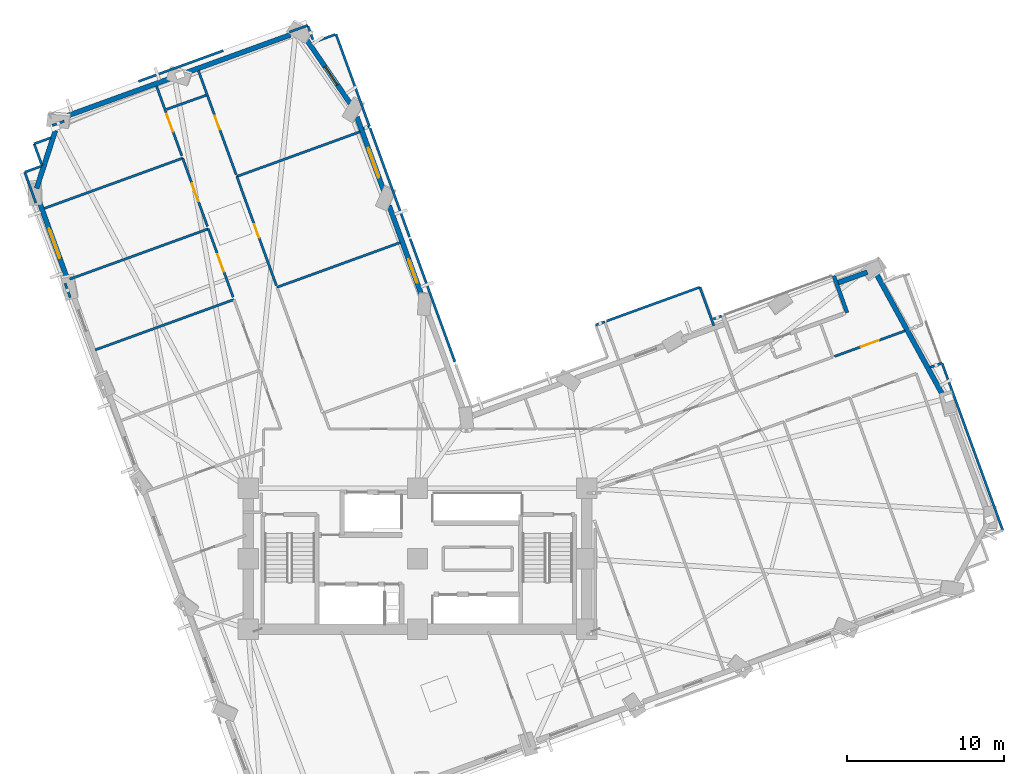
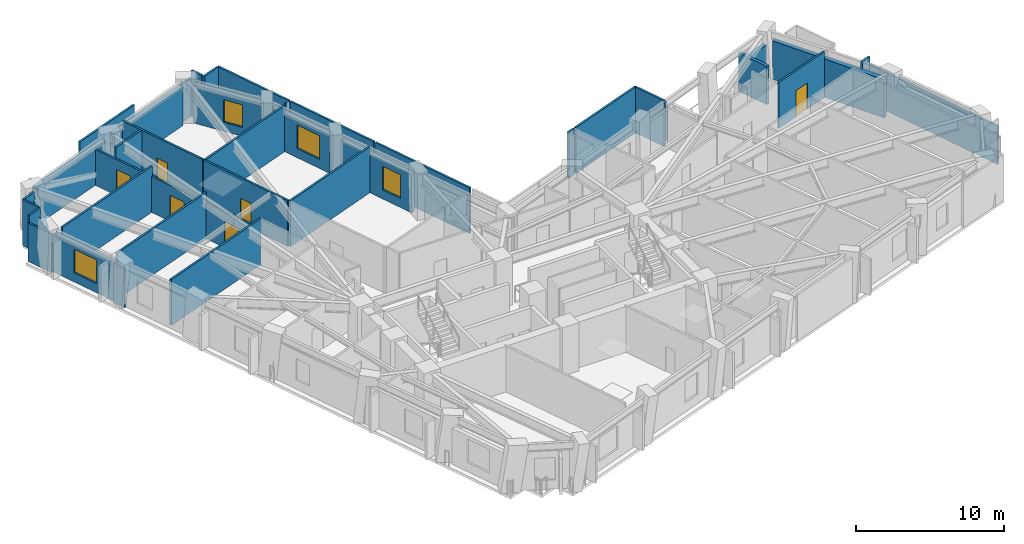
# One storey, part 12 of 17: 42 walls, 6 doors, 4 windows, 10 openings.
"""IFC4 building model written with IfcOpenShell, lengths in metres."""

from ifc_helpers import new_model, si_unit, direction, frame, frame_2d, origin, place, context, subcontext, project, spatial, rectangle, extrude, material, layer, layer_set, type_object, element, fill, save


model = new_model("IFC4")

# Units and contexts
model_context = context("Model", 3, precision=1e-05, world=origin(), true_north=direction((0.0, 1.0)))
body_context = subcontext(model_context, "Body", "Model", "MODEL_VIEW")
ifc_project = project(units=[si_unit("LENGTHUNIT", "METRE"), si_unit("AREAUNIT", "SQUARE_METRE"), si_unit("VOLUMEUNIT", "CUBIC_METRE"), si_unit("PLANEANGLEUNIT", "RADIAN"), si_unit("MASSUNIT", "GRAM", prefix="KILO")], contexts=[model_context])

# Site, building, storey
site_placement = place(None, origin())
site = spatial("IfcSite", under=ifc_project, at=site_placement, CompositionType="ELEMENT")
building_placement = place(site_placement, origin())
building = spatial("IfcBuilding", under=site, at=building_placement, Name="Gaonmaruhae Medical Tower", CompositionType="ELEMENT")
storey_placement = place(building_placement, frame((0.0, 0.0, 108.39990234375)))
storey = spatial("IfcBuildingStorey", under=building, at=storey_placement, Name="L25", CompositionType="ELEMENT", Elevation=108.39990234375)

# Walls
ifc_material_1 = material(Name="Precast concrete C45/55", Category="concrete")
ifc_layer_1 = layer(ifc_material_1, 0.239990234375)
ifc_layer_set_1 = layer_set([ifc_layer_1], Name="Precast concrete C45/55")
wall_type_1 = type_object("IfcWallType", Name="EW-240 Ribbon & Shelter Insulated Precast Wall", PredefinedType="SOLIDWALL", material=ifc_layer_set_1)
wall_1_placement = place(storey_placement, frame((52.222412109375, 28.00634765625, 0.0), z_axis=(0.0, 0.0, 1.0), x_axis=(-0.341194160902, 0.939992842827, 0.0)))
element("IfcWall", 1, at=wall_1_placement, inside=storey, type_object=wall_type_1, Name="L25 Recessed Terrace Enclosure Wall TERR", PredefinedType="SOLIDWALL", context=body_context, shape_type="SweptSolid", body=[
    extrude(rectangle(XDim=2.500244140625, YDim=0.239990234375, at=frame_2d((1.25, 0.0))), origin(), (0.0, 0.0, 1.0), 3.1650390625),
])
ifc_layer_2 = layer(ifc_material_1, 0.320068359375)
ifc_layer_set_2 = layer_set([ifc_layer_2], Name="Precast concrete C45/55")
wall_type_2 = type_object("IfcWallType", Name="EW-320 Lower Precast Masonry-Frame Facade Wall", PredefinedType="SOLIDWALL", material=ifc_layer_set_2)
wall_2_placement = place(storey_placement, frame((54.0966796875, 30.464111328125, 0.0), z_axis=(0.0, 0.0, 1.0), x_axis=(0.480836721767, -0.876810154481, 0.0)))
element("IfcWall", 2, at=wall_2_placement, inside=storey, type_object=wall_type_2, Name="L25 Precast Masonry-Frame Wall E02-E03", PredefinedType="SOLIDWALL", context=body_context, shape_type="SweptSolid", body=[
    extrude(rectangle(XDim=8.837646484375, YDim=0.320068359375, at=frame_2d((4.4189453125, 0.0))), origin(), (0.0, 0.0, 1.0), 3.1650390625),
])
wall_3_placement = place(storey_placement, frame((51.562255859375, 29.8837890625, 0.0), z_axis=(0.0, 0.0, 1.0), x_axis=(0.939992364917, 0.341195477547, 0.0)))
element("IfcWall", 3, at=wall_3_placement, inside=storey, type_object=wall_type_2, Name="L25 Precast Masonry-Frame Wall E03-EN01", PredefinedType="SOLIDWALL", context=body_context, shape_type="SweptSolid", body=[
    extrude(rectangle(XDim=2.076416015625, YDim=0.320068359375, at=frame_2d((1.0380859375, 0.0))), origin(), (0.0, 0.0, 1.0), 2.945068359375),
])

# Wall, opening, window
wall_4_placement = place(storey_placement, frame((22.986572265625, 34.8427734375, 0.0), z_axis=(0.0, 0.0, 1.0), x_axis=(0.341175974154, -0.939999443968, 0.0)))
wall_4 = element("IfcWall", 4, at=wall_4_placement, inside=storey, type_object=wall_type_2, Name="L25 Precast Masonry-Frame Wall NE01-NE02", PredefinedType="SOLIDWALL", context=body_context, shape_type="SweptSolid", body=[
    extrude(rectangle(XDim=6.22265625, YDim=0.320068359375, at=frame_2d((3.111328125, 0.0))), origin(), (0.0, 0.0, 1.0), 3.1650390625),
])
opening_1_placement = place(wall_4_placement, frame((3.646240234375, 0.0, 0.75)))
opening_1 = element("IfcOpeningElement", 5, at=opening_1_placement, cuts=wall_4, Name="Opening WN-01", PredefinedType="OPENING", context=body_context, shape_type="SweptSolid", body=[
    extrude(rectangle(XDim=1.60009765625, YDim=1.949951171875, at=frame_2d((0.800048828125, 0.97509765625))), frame((0.0, 0.169921875, 0.0), z_axis=(0.0, -1.0, 0.0), x_axis=(1.0, 0.0, 0.0)), (0.0, 0.0, 1.0), 0.340087890625),
])
ifc_material_2 = material(Name="Anodised aluminium and Low-E double glazing", Category="aluminium")
window_type_1 = type_object("IfcWindowType", Name="WN-01 Ward Punched Acoustic Window 1600x1950", PartitioningType="SINGLE_PANEL", PredefinedType="WINDOW", material=ifc_material_2)
window_1_placement = place(opening_1_placement, origin())
window_1 = element("IfcWindow", 6, at=window_1_placement, inside=storey, type_object=window_type_1, Name="L25 Modular Facade Window NE01", OverallHeight=1.949951171875, OverallWidth=1.60009765625, PartitioningType="SINGLE_PANEL", PredefinedType="WINDOW", context=body_context, shape_type="SweptSolid", body=[
    extrude(rectangle(XDim=1.60009765625, YDim=1.949951171875, at=frame_2d((0.800048828125, 0.97509765625))), frame((0.0, 0.030029296875, 0.0), z_axis=(0.0, -1.0, 0.0), x_axis=(1.0, 0.0, 0.0)), (0.0, 0.0, 1.0), 0.06005859375),
])
fill(opening_1, window_1)

wall_5_placement = place(storey_placement, frame((20.9345703125, 40.495849609375, 0.0), z_axis=(0.0, 0.0, 1.0), x_axis=(0.341207045833, -0.939988165816, 0.0)))
wall_5 = element("IfcWall", 7, at=wall_5_placement, inside=storey, type_object=wall_type_2, Name="L25 Precast Masonry-Frame Wall NE02-NE03", PredefinedType="SOLIDWALL", context=body_context, shape_type="SweptSolid", body=[
    extrude(rectangle(XDim=5.04736328125, YDim=0.320068359375, at=frame_2d((2.523681640625, 0.0))), origin(), (0.0, 0.0, 1.0), 3.1650390625),
])
opening_2_placement = place(wall_5_placement, frame((2.10302734375, 0.0, 0.75)))
opening_2 = element("IfcOpeningElement", 8, at=opening_2_placement, cuts=wall_5, Name="Opening WN-02", PredefinedType="OPENING", context=body_context, shape_type="SweptSolid", body=[
    extrude(rectangle(XDim=2.0, YDim=1.949951171875, at=frame_2d((1.0, 0.97509765625))), frame((0.0, 0.169921875, 0.0), z_axis=(0.0, -1.0, 0.0), x_axis=(1.0, 0.0, 0.0)), (0.0, 0.0, 1.0), 0.340087890625),
])
window_type_2 = type_object("IfcWindowType", Name="WN-02 Double-Bed Ward Punched Window 2000x1950", PartitioningType="SINGLE_PANEL", PredefinedType="WINDOW", material=ifc_material_2)
window_2_placement = place(opening_2_placement, origin())
window_2 = element("IfcWindow", 9, at=window_2_placement, inside=storey, type_object=window_type_2, Name="L25 Modular Facade Window NE02", OverallHeight=1.949951171875, OverallWidth=2.0, PartitioningType="SINGLE_PANEL", PredefinedType="WINDOW", context=body_context, shape_type="SweptSolid", body=[
    extrude(rectangle(XDim=2.0, YDim=1.949951171875, at=frame_2d((1.0, 0.97509765625))), frame((0.0, 0.030029296875, 0.0), z_axis=(0.0, -1.0, 0.0), x_axis=(1.0, 0.0, 0.0)), (0.0, 0.0, 1.0), 0.06005859375),
])
fill(opening_2, window_2)

wall_6_placement = place(storey_placement, frame((17.608154296875, 45.597412109375, 0.0), z_axis=(0.0, 0.0, 1.0), x_axis=(0.563970355913, -0.825795033681, 0.0)))
wall_6 = element("IfcWall", 10, at=wall_6_placement, inside=storey, type_object=wall_type_2, Name="L25 Precast Masonry-Frame Wall NE03-N01", PredefinedType="SOLIDWALL", context=body_context, shape_type="SweptSolid", body=[
    extrude(rectangle(XDim=5.12841796875, YDim=0.320068359375, at=frame_2d((2.564208984375, 0.0))), origin(), (0.0, 0.0, 1.0), 3.1650390625),
])
opening_3_placement = place(wall_6_placement, frame((2.29345703125, 0.0, 0.75)))
opening_3 = element("IfcOpeningElement", 11, at=opening_3_placement, cuts=wall_6, Name="Opening WN-03", PredefinedType="OPENING", context=body_context, shape_type="SweptSolid", body=[
    extrude(rectangle(XDim=1.39990234375, YDim=1.85009765625, at=frame_2d((0.699951171875, 0.925048828125))), frame((0.0, 0.169921875, 0.0), z_axis=(0.0, -1.0, 0.0), x_axis=(1.0, 0.0, 0.0)), (0.0, 0.0, 1.0), 0.340087890625),
])
window_type_3 = type_object("IfcWindowType", Name="WN-03 Isolation Ward Punched Window 1400x1850", PartitioningType="SINGLE_PANEL", PredefinedType="WINDOW", material=ifc_material_2)
window_3_placement = place(opening_3_placement, origin())
window_3 = element("IfcWindow", 12, at=window_3_placement, inside=storey, type_object=window_type_3, Name="L25 Modular Facade Window NE03", OverallHeight=1.85009765625, OverallWidth=1.39990234375, PartitioningType="SINGLE_PANEL", PredefinedType="WINDOW", context=body_context, shape_type="SweptSolid", body=[
    extrude(rectangle(XDim=1.39990234375, YDim=1.85009765625, at=frame_2d((0.699951171875, 0.925048828125))), frame((0.0, 0.030029296875, 0.0), z_axis=(0.0, -1.0, 0.0), x_axis=(1.0, 0.0, 0.0)), (0.0, 0.0, 1.0), 0.06005859375),
])
fill(opening_3, window_3)

# Walls
wall_7_placement = place(storey_placement, frame((9.892822265625, 43.269287109375, 0.0), z_axis=(0.0, 0.0, 1.0), x_axis=(0.939984522446, 0.341217082753, 0.0)))
element("IfcWall", 13, at=wall_7_placement, inside=storey, type_object=wall_type_2, Name="L25 Precast Masonry-Frame Wall N01-N02", PredefinedType="SOLIDWALL", context=body_context, shape_type="SweptSolid", body=[
    extrude(rectangle(XDim=7.23095703125, YDim=0.320068359375, at=frame_2d((3.615478515625, 0.0))), origin(), (0.0, 0.0, 1.0), 3.1650390625),
])
wall_8_placement = place(storey_placement, frame((2.162109375, 40.46337890625, 0.0), z_axis=(0.0, 0.0, 1.0), x_axis=(0.939993283668, 0.341192946378, 0.0)))
element("IfcWall", 14, at=wall_8_placement, inside=storey, type_object=wall_type_2, Name="L25 Precast Masonry-Frame Wall N02-N03", PredefinedType="SOLIDWALL", context=body_context, shape_type="SweptSolid", body=[
    extrude(rectangle(XDim=7.27001953125, YDim=0.320068359375, at=frame_2d((3.635009765625, 0.0))), origin(), (0.0, 0.0, 1.0), 3.1650390625),
])
wall_9_placement = place(storey_placement, frame((0.4912109375, 35.934326171875, 0.0), z_axis=(0.0, 0.0, 1.0), x_axis=(0.308610602602, 0.951188465007, 0.0)))
element("IfcWall", 15, at=wall_9_placement, inside=storey, type_object=wall_type_2, Name="L25 Precast Masonry-Frame Wall N03-W01", PredefinedType="SOLIDWALL", context=body_context, shape_type="SweptSolid", body=[
    extrude(rectangle(XDim=3.889892578125, YDim=0.320068359375, at=frame_2d((1.94482421875, 0.0))), origin(), (0.0, 0.0, 1.0), 3.1650390625),
])

# Wall, opening, window
wall_10_placement = place(storey_placement, frame((2.525146484375, 29.958740234375, 0.0), z_axis=(0.0, 0.0, 1.0), x_axis=(-0.341222011067, 0.939982733439, 0.0)))
wall_10 = element("IfcWall", 16, at=wall_10_placement, inside=storey, type_object=wall_type_2, Name="L25 Precast Masonry-Frame Wall W01-W02", PredefinedType="SOLIDWALL", context=body_context, shape_type="SweptSolid", body=[
    extrude(rectangle(XDim=5.45556640625, YDim=0.320068359375, at=frame_2d((2.727783203125, 0.0))), origin(), (0.0, 0.0, 1.0), 3.1650390625),
])
opening_4_placement = place(wall_10_placement, frame((1.628173828125, 0.0, 0.75)))
opening_4 = element("IfcOpeningElement", 17, at=opening_4_placement, cuts=wall_10, Name="Opening WN-02", PredefinedType="OPENING", context=body_context, shape_type="SweptSolid", body=[
    extrude(rectangle(XDim=2.0, YDim=1.949951171875, at=frame_2d((1.0, 0.97509765625))), frame((0.0, 0.169921875, 0.0), z_axis=(0.0, -1.0, 0.0), x_axis=(1.0, 0.0, 0.0)), (0.0, 0.0, 1.0), 0.340087890625),
])
window_4_placement = place(opening_4_placement, origin())
window_4 = element("IfcWindow", 18, at=window_4_placement, inside=storey, type_object=window_type_2, Name="L25 Modular Facade Window W01", OverallHeight=1.949951171875, OverallWidth=2.0, PartitioningType="SINGLE_PANEL", PredefinedType="WINDOW", context=body_context, shape_type="SweptSolid", body=[
    extrude(rectangle(XDim=2.0, YDim=1.949951171875, at=frame_2d((1.0, 0.97509765625))), frame((0.0, 0.030029296875, 0.0), z_axis=(0.0, -1.0, 0.0), x_axis=(1.0, 0.0, 0.0)), (0.0, 0.0, 1.0), 0.06005859375),
])
fill(opening_4, window_4)

# Walls
ifc_material_3 = material(Name="Gypsum board partition", Category="gypsum")
ifc_layer_3 = layer(ifc_material_3, 0.14990234375)
ifc_layer_set_3 = layer_set([ifc_layer_3], Name="Gypsum board partition")
wall_type_3 = type_object("IfcWallType", Name="PW-150 Rated Clinical Corridor Partition", PredefinedType="PARTITIONING", material=ifc_layer_set_3)
wall_11_placement = place(storey_placement, frame((4.239013671875, 25.632080078125, 0.0), z_axis=(0.0, 0.0, 1.0), x_axis=(0.940008258736, 0.34115168695, 0.0)))
element("IfcWall", 19, at=wall_11_placement, inside=storey, type_object=wall_type_3, Name="L25 Interior Partition L25-WOF15-46", PredefinedType="PARTITIONING", context=body_context, shape_type="SweptSolid", body=[
    extrude(rectangle(XDim=9.414794921875, YDim=0.14990234375, at=frame_2d((4.70751953125, 0.0))), origin(), (0.0, 0.0, 1.0), 3.780029296875),
])
wall_12_placement = place(storey_placement, frame((2.60205078125, 30.14404296875, 0.0), z_axis=(0.0, 0.0, 1.0), x_axis=(0.939993165995, 0.341193270571, 0.0)))
element("IfcWall", 20, at=wall_12_placement, inside=storey, type_object=wall_type_3, Name="L25 Interior Partition L25-WOF16-49", PredefinedType="PARTITIONING", context=body_context, shape_type="SweptSolid", body=[
    extrude(rectangle(XDim=9.413818359375, YDim=0.14990234375, at=frame_2d((4.70703125, 0.0))), origin(), (0.0, 0.0, 1.0), 3.780029296875),
])

# Wall, opening, door
wall_13_placement = place(storey_placement, frame((11.450927734375, 33.35595703125, 0.0), z_axis=(0.0, 0.0, 1.0), x_axis=(0.341405037491, -0.939916273067, 0.0)))
wall_13 = element("IfcWall", 21, at=wall_13_placement, inside=storey, type_object=wall_type_3, Name="L25 Interior Partition L25-WOF16-50", PredefinedType="PARTITIONING", context=body_context, shape_type="SweptSolid", body=[
    extrude(rectangle(XDim=4.6396484375, YDim=0.14990234375, at=frame_2d((2.31982421875, 0.0))), origin(), (0.0, 0.0, 1.0), 2.965087890625),
])
opening_5_placement = place(wall_13_placement, frame((1.719970703125, 0.0, 0.0)))
opening_5 = element("IfcOpeningElement", 22, at=opening_5_placement, cuts=wall_13, Name="Opening CD-02", PredefinedType="OPENING", context=body_context, shape_type="SweptSolid", body=[
    extrude(rectangle(XDim=1.199951171875, YDim=2.14990234375, at=frame_2d((0.60009765625, 1.074951171875))), frame((0.0, 0.0849609375, 0.0), z_axis=(0.0, -1.0, 0.0), x_axis=(1.0, 0.0, 0.0)), (0.0, 0.0, 1.0), 0.169921875),
])
ifc_material_4 = material(Name="Antimicrobial laminate timber fire door", Category="wood")
door_type_1 = type_object("IfcDoorType", Name="CD-02 Clinical Treatment & Procedure Door 1200x2150", OperationType="NOTDEFINED", PredefinedType="DOOR", material=ifc_material_4)
door_1_placement = place(opening_5_placement, origin())
door_1 = element("IfcDoor", 23, at=door_1_placement, inside=storey, type_object=door_type_1, Name="L25 Ward Physician Reporting Office Door", OperationType="SINGLE_SWING_RIGHT", OverallHeight=2.14990234375, OverallWidth=1.199951171875, PredefinedType="DOOR", context=body_context, shape_type="SweptSolid", body=[
    extrude(rectangle(XDim=1.199951171875, YDim=2.14990234375, at=frame_2d((0.60009765625, 1.074951171875))), frame((0.0, 0.02490234375, 0.0), z_axis=(0.0, -1.0, 0.0), x_axis=(1.0, 0.0, 0.0)), (0.0, 0.0, 1.0), 0.050048828125),
])
fill(opening_5, door_1)

# Walls
wall_14_placement = place(storey_placement, frame((2.636962890625, 28.97705078125, 0.0), z_axis=(0.0, 0.0, 1.0), x_axis=(-0.342253038206, 0.939607821295, 0.0)))
element("IfcWall", 24, at=wall_14_placement, inside=storey, type_object=wall_type_3, Name="L25 Interior Partition L25-WOF16-51", PredefinedType="PARTITIONING", context=body_context, shape_type="SweptSolid", body=[
    extrude(rectangle(XDim=0.9609375, YDim=0.14990234375, at=frame_2d((0.48046875, 0.0))), origin(), (0.0, 0.0, 1.0), 3.1650390625),
])
wall_15_placement = place(storey_placement, frame((0.964111328125, 34.655029296875, 0.0), z_axis=(0.0, 0.0, 1.0), x_axis=(0.939971972714, 0.341251652761, 0.0)))
element("IfcWall", 25, at=wall_15_placement, inside=storey, type_object=wall_type_3, Name="L25 Interior Partition L25-WOF17-52", PredefinedType="PARTITIONING", context=body_context, shape_type="SweptSolid", body=[
    extrude(rectangle(XDim=9.4150390625, YDim=0.14990234375, at=frame_2d((4.70751953125, 0.0))), origin(), (0.0, 0.0, 1.0), 3.780029296875),
])

# Wall, opening, door
wall_16_placement = place(storey_placement, frame((9.81396484375, 37.867919921875, 0.0), z_axis=(0.0, 0.0, 1.0), x_axis=(0.341219066922, -0.939983802184, 0.0)))
wall_16 = element("IfcWall", 26, at=wall_16_placement, inside=storey, type_object=wall_type_3, Name="L25 Interior Partition L25-WOF17-53", PredefinedType="PARTITIONING", context=body_context, shape_type="SweptSolid", body=[
    extrude(rectangle(XDim=4.63916015625, YDim=0.14990234375, at=frame_2d((2.319580078125, 0.0))), origin(), (0.0, 0.0, 1.0), 2.965087890625),
])
opening_6_placement = place(wall_16_placement, frame((1.7197265625, 0.0, 0.0)))
opening_6 = element("IfcOpeningElement", 27, at=opening_6_placement, cuts=wall_16, Name="Opening CD-02", PredefinedType="OPENING", context=body_context, shape_type="SweptSolid", body=[
    extrude(rectangle(XDim=1.199951171875, YDim=2.14990234375, at=frame_2d((0.60009765625, 1.074951171875))), frame((0.0, 0.0849609375, 0.0), z_axis=(0.0, -1.0, 0.0), x_axis=(1.0, 0.0, 0.0)), (0.0, 0.0, 1.0), 0.169921875),
])
door_2_placement = place(opening_6_placement, origin())
door_2 = element("IfcDoor", 28, at=door_2_placement, inside=storey, type_object=door_type_1, Name="L25 Ward Physician Reporting Office Door", OperationType="SINGLE_SWING_RIGHT", OverallHeight=2.14990234375, OverallWidth=1.199951171875, PredefinedType="DOOR", context=body_context, shape_type="SweptSolid", body=[
    extrude(rectangle(XDim=1.199951171875, YDim=2.14990234375, at=frame_2d((0.60009765625, 1.074951171875))), frame((0.0, 0.02490234375, 0.0), z_axis=(0.0, -1.0, 0.0), x_axis=(1.0, 0.0, 0.0)), (0.0, 0.0, 1.0), 0.050048828125),
])
fill(opening_6, door_2)

# Walls
wall_17_placement = place(storey_placement, frame((0.3310546875, 38.7880859375, 0.0), z_axis=(0.0, 0.0, 1.0), x_axis=(0.939824729606, 0.341656958983, 0.0)))
element("IfcWall", 29, at=wall_17_placement, inside=storey, type_object=wall_type_3, Name="L25 Interior Partition L25-WOF18-54", PredefinedType="PARTITIONING", context=body_context, shape_type="SweptSolid", body=[
    extrude(rectangle(XDim=1.138427734375, YDim=0.14990234375, at=frame_2d((0.5693359375, 0.0))), origin(), (0.0, 0.0, 1.0), 3.780029296875),
])
wall_18_placement = place(storey_placement, frame((1.501953125, 39.9580078125, 0.0), z_axis=(0.0, 0.0, 1.0), x_axis=(0.940170604889, 0.340704026542, 0.0)))
element("IfcWall", 30, at=wall_18_placement, inside=storey, type_object=wall_type_3, Name="L25 Interior Partition L25-WOF18-55", PredefinedType="PARTITIONING", context=body_context, shape_type="SweptSolid", body=[
    extrude(rectangle(XDim=0.79248046875, YDim=0.14990234375, at=frame_2d((0.396240234375, 0.0))), origin(), (0.0, 0.0, 1.0), 3.1650390625),
])

# Wall, opening, door
wall_19_placement = place(storey_placement, frame((8.14501953125, 42.465087890625, 0.0), z_axis=(0.0, 0.0, 1.0), x_axis=(0.341233257896, -0.939978650665, 0.0)))
wall_19 = element("IfcWall", 31, at=wall_19_placement, inside=storey, type_object=wall_type_3, Name="L25 Interior Partition L25-WOF18-56", PredefinedType="PARTITIONING", context=body_context, shape_type="SweptSolid", body=[
    extrude(rectangle(XDim=4.72998046875, YDim=0.14990234375, at=frame_2d((2.364990234375, 0.0))), origin(), (0.0, 0.0, 1.0), 2.965087890625),
])
opening_7_placement = place(wall_19_placement, frame((1.889892578125, 0.0, 0.0)))
opening_7 = element("IfcOpeningElement", 32, at=opening_7_placement, cuts=wall_19, Name="Opening CD-02", PredefinedType="OPENING", context=body_context, shape_type="SweptSolid", body=[
    extrude(rectangle(XDim=1.199951171875, YDim=2.14990234375, at=frame_2d((0.60009765625, 1.074951171875))), frame((0.0, 0.0849609375, 0.0), z_axis=(0.0, -1.0, 0.0), x_axis=(1.0, 0.0, 0.0)), (0.0, 0.0, 1.0), 0.169921875),
])
door_3_placement = place(opening_7_placement, origin())
door_3 = element("IfcDoor", 33, at=door_3_placement, inside=storey, type_object=door_type_1, Name="L25 Ward Physician Reporting Office Door", OperationType="SINGLE_SWING_RIGHT", OverallHeight=2.14990234375, OverallWidth=1.199951171875, PredefinedType="DOOR", context=body_context, shape_type="SweptSolid", body=[
    extrude(rectangle(XDim=1.199951171875, YDim=2.14990234375, at=frame_2d((0.60009765625, 1.074951171875))), frame((0.0, 0.02490234375, 0.0), z_axis=(0.0, -1.0, 0.0), x_axis=(1.0, 0.0, 0.0)), (0.0, 0.0, 1.0), 0.050048828125),
])
fill(opening_7, door_3)

# Walls
wall_20_placement = place(storey_placement, frame((0.447021484375, 35.008056640625, 0.0), z_axis=(0.0, 0.0, 1.0), x_axis=(-0.341246548403, 0.939973825807, 0.0)))
element("IfcWall", 34, at=wall_20_placement, inside=storey, type_object=wall_type_3, Name="L25 Interior Partition L25-WOF18-57", PredefinedType="PARTITIONING", context=body_context, shape_type="SweptSolid", body=[
    extrude(rectangle(XDim=2.0927734375, YDim=0.14990234375, at=frame_2d((1.04638671875, 0.0))), origin(), (0.0, 0.0, 1.0), 3.1650390625),
])
wall_21_placement = place(storey_placement, frame((-0.26708984375, 36.97509765625, 0.0), z_axis=(0.0, 0.0, 1.0), x_axis=(0.939873962071, 0.341521500671, 0.0)))
element("IfcWall", 35, at=wall_21_placement, inside=storey, type_object=wall_type_3, Name="L25 Interior Partition L25-WOF18-58", PredefinedType="PARTITIONING", context=body_context, shape_type="SweptSolid", body=[
    extrude(rectangle(XDim=1.150146484375, YDim=0.14990234375, at=frame_2d((0.5751953125, 0.0))), origin(), (0.0, 0.0, 1.0), 3.780029296875),
])
wall_22_placement = place(storey_placement, frame((0.830078125, 37.4150390625, 0.0), z_axis=(0.0, 0.0, 1.0), x_axis=(-0.341582042638, 0.939851960761, 0.0)))
element("IfcWall", 36, at=wall_22_placement, inside=storey, type_object=wall_type_3, Name="L25 Interior Partition L25-WOF18-59", PredefinedType="PARTITIONING", context=body_context, shape_type="SweptSolid", body=[
    extrude(rectangle(XDim=1.4609375, YDim=0.14990234375, at=frame_2d((0.73046875, 0.0))), origin(), (0.0, 0.0, 1.0), 3.780029296875),
])
wall_23_placement = place(storey_placement, frame((36.1669921875, 27.220947265625, 0.0), z_axis=(0.0, 0.0, 1.0), x_axis=(0.939622411687, 0.342212979672, 0.0)))
element("IfcWall", 37, at=wall_23_placement, inside=storey, type_object=wall_type_3, Name="L25 Interior Partition L25-IE03-75", PredefinedType="PARTITIONING", context=body_context, shape_type="SweptSolid", body=[
    extrude(rectangle(XDim=0.625732421875, YDim=0.14990234375, at=frame_2d((0.31298828125, 0.0))), origin(), (0.0, 0.0, 1.0), 3.780029296875),
])
wall_24_placement = place(storey_placement, frame((36.867919921875, 27.47607421875, 0.0), z_axis=(0.0, 0.0, 1.0), x_axis=(0.940021741488, 0.341114534329, 0.0)))
element("IfcWall", 38, at=wall_24_placement, inside=storey, type_object=wall_type_3, Name="L25 Interior Partition L25-IE04-80", PredefinedType="PARTITIONING", context=body_context, shape_type="SweptSolid", body=[
    extrude(rectangle(XDim=6.33203125, YDim=0.14990234375, at=frame_2d((3.166015625, 0.0))), origin(), (0.0, 0.0, 1.0), 3.780029296875),
])
wall_25_placement = place(storey_placement, frame((42.820068359375, 29.635986328125, 0.0), z_axis=(0.0, 0.0, 1.0), x_axis=(0.341075765781, -0.940035808891, 0.0)))
element("IfcWall", 39, at=wall_25_placement, inside=storey, type_object=wall_type_3, Name="L25 Interior Partition L25-IE04-81", PredefinedType="PARTITIONING", context=body_context, shape_type="SweptSolid", body=[
    extrude(rectangle(XDim=2.61474609375, YDim=0.14990234375, at=frame_2d((1.307373046875, 0.0))), origin(), (0.0, 0.0, 1.0), 3.780029296875),
])
wall_26_placement = place(storey_placement, frame((43.68603515625, 27.610107421875, 0.0), z_axis=(0.0, 0.0, 1.0), x_axis=(0.939870699391, 0.341530479497, 0.0)))
element("IfcWall", 40, at=wall_26_placement, inside=storey, type_object=wall_type_3, Name="L25 Interior Partition L25-IE05-88", PredefinedType="PARTITIONING", context=body_context, shape_type="SweptSolid", body=[
    extrude(rectangle(XDim=0.55322265625, YDim=0.14990234375, at=frame_2d((0.276611328125, 0.0))), origin(), (0.0, 0.0, 1.0), 3.14501953125),
])

# Wall, opening, door
wall_27_placement = place(storey_placement, frame((55.925048828125, 26.85009765625, 0.0), z_axis=(0.0, 0.0, 1.0), x_axis=(-0.940038384463, -0.341068667187, 0.0)))
wall_27 = element("IfcWall", 41, at=wall_27_placement, inside=storey, type_object=wall_type_3, Name="L25 Interior Partition L25-IE06-94", PredefinedType="PARTITIONING", context=body_context, shape_type="SweptSolid", body=[
    extrude(rectangle(XDim=4.796630859375, YDim=0.14990234375, at=frame_2d((2.3984375, 0.0))), origin(), (0.0, 0.0, 1.0), 3.780029296875),
])
opening_8_placement = place(wall_27_placement, frame((1.79833984375, 0.0, 0.0)))
opening_8 = element("IfcOpeningElement", 42, at=opening_8_placement, cuts=wall_27, Name="Opening CD-02", PredefinedType="OPENING", context=body_context, shape_type="SweptSolid", body=[
    extrude(rectangle(XDim=1.199951171875, YDim=2.14990234375, at=frame_2d((0.60009765625, 1.074951171875))), frame((0.0, 0.0849609375, 0.0), z_axis=(0.0, -1.0, 0.0), x_axis=(1.0, 0.0, 0.0)), (0.0, 0.0, 1.0), 0.169921875),
])
door_4_placement = place(opening_8_placement, origin())
door_4 = element("IfcDoor", 43, at=door_4_placement, inside=storey, type_object=door_type_1, Name="L25 Multidisciplinary Clinical Consultation Room Door", OperationType="SINGLE_SWING_LEFT", OverallHeight=2.14990234375, OverallWidth=1.199951171875, PredefinedType="DOOR", context=body_context, shape_type="SweptSolid", body=[
    extrude(rectangle(XDim=1.199951171875, YDim=2.14990234375, at=frame_2d((0.60009765625, 1.074951171875))), frame((0.0, 0.02490234375, 0.0), z_axis=(0.0, -1.0, 0.0), x_axis=(1.0, 0.0, 0.0)), (0.0, 0.0, 1.0), 0.050048828125),
])
fill(opening_8, door_4)

# Walls
wall_28_placement = place(storey_placement, frame((15.8359375, 29.62890625, 0.0), z_axis=(0.0, 0.0, 1.0), x_axis=(0.939996069291, 0.341185271836, 0.0)))
element("IfcWall", 44, at=wall_28_placement, inside=storey, type_object=wall_type_3, Name="L25 Interior Partition L25-IN01-96", PredefinedType="PARTITIONING", context=body_context, shape_type="SweptSolid", body=[
    extrude(rectangle(XDim=8.364990234375, YDim=0.14990234375, at=frame_2d((4.1826171875, 0.0))), origin(), (0.0, 0.0, 1.0), 3.780029296875),
])
wall_29_placement = place(storey_placement, frame((24.343017578125, 32.717041015625, 0.0), z_axis=(0.0, 0.0, 1.0), x_axis=(0.341214204731, -0.939985567171, 0.0)))
element("IfcWall", 45, at=wall_29_placement, inside=storey, type_object=wall_type_3, Name="L25 Interior Partition L25-IN01-97", PredefinedType="PARTITIONING", context=body_context, shape_type="SweptSolid", body=[
    extrude(rectangle(XDim=8.340576171875, YDim=0.14990234375, at=frame_2d((4.17041015625, 0.0))), origin(), (0.0, 0.0, 1.0), 3.780029296875),
])

# Wall, opening, door
wall_30_placement = place(storey_placement, frame((15.794921875, 29.741943359375, 0.0), z_axis=(0.0, 0.0, 1.0), x_axis=(-0.341080711776, 0.940034014307, 0.0)))
wall_30 = element("IfcWall", 46, at=wall_30_placement, inside=storey, type_object=wall_type_3, Name="L25 Interior Partition L25-IN02-98", PredefinedType="PARTITIONING", context=body_context, shape_type="SweptSolid", body=[
    extrude(rectangle(XDim=7.39990234375, YDim=0.14990234375, at=frame_2d((3.699951171875, 0.0))), origin(), (0.0, 0.0, 1.0), 3.780029296875),
])
opening_9_placement = place(wall_30_placement, frame((3.239990234375, 0.0, 0.0)))
opening_9 = element("IfcOpeningElement", 47, at=opening_9_placement, cuts=wall_30, Name="Opening UD-01", PredefinedType="OPENING", context=body_context, shape_type="SweptSolid", body=[
    extrude(rectangle(XDim=0.919921875, YDim=2.10009765625, at=frame_2d((0.4599609375, 1.050048828125))), frame((0.0, 0.0849609375, 0.0), z_axis=(0.0, -1.0, 0.0), x_axis=(1.0, 0.0, 0.0)), (0.0, 0.0, 1.0), 0.169921875),
])
ifc_material_5 = material(Name="Powder-coated steel utility door", Category="steel")
door_type_2 = type_object("IfcDoorType", Name="UD-01 Toilet, Utility & Housekeeping Door 920x2100", OperationType="NOTDEFINED", PredefinedType="DOOR", material=ifc_material_5)
door_5_placement = place(opening_9_placement, origin())
door_5 = element("IfcDoor", 48, at=door_5_placement, inside=storey, type_object=door_type_2, Name="L25 Ward Nutrition Pantry Door", OperationType="SINGLE_SWING_RIGHT", OverallHeight=2.10009765625, OverallWidth=0.919921875, PredefinedType="DOOR", context=body_context, shape_type="SweptSolid", body=[
    extrude(rectangle(XDim=0.919921875, YDim=2.10009765625, at=frame_2d((0.4599609375, 1.050048828125))), frame((0.0, 0.02490234375, 0.0), z_axis=(0.0, -1.0, 0.0), x_axis=(1.0, 0.0, 0.0)), (0.0, 0.0, 1.0), 0.050048828125),
])
fill(opening_9, door_5)

# Walls
wall_31_placement = place(storey_placement, frame((13.27099609375, 36.697998046875, 0.0), z_axis=(0.0, 0.0, 1.0), x_axis=(0.940033506521, 0.341082111255, 0.0)))
element("IfcWall", 49, at=wall_31_placement, inside=storey, type_object=wall_type_3, Name="L25 Interior Partition L25-IN02-99", PredefinedType="PARTITIONING", context=body_context, shape_type="SweptSolid", body=[
    extrude(rectangle(XDim=8.36474609375, YDim=0.14990234375, at=frame_2d((4.182373046875, 0.0))), origin(), (0.0, 0.0, 1.0), 3.780029296875),
])
wall_32_placement = place(storey_placement, frame((21.778076171875, 39.784912109375, 0.0), z_axis=(0.0, 0.0, 1.0), x_axis=(0.341133611606, -0.940014818517, 0.0)))
element("IfcWall", 50, at=wall_32_placement, inside=storey, type_object=wall_type_3, Name="L25 Interior Partition L25-IN02-100", PredefinedType="PARTITIONING", context=body_context, shape_type="SweptSolid", body=[
    extrude(rectangle(XDim=7.398681640625, YDim=0.14990234375, at=frame_2d((3.69921875, 0.0))), origin(), (0.0, 0.0, 1.0), 3.780029296875),
])
wall_33_placement = place(storey_placement, frame((19.60107421875, 45.782958984375, 0.0), z_axis=(0.0, 0.0, 1.0), x_axis=(0.341176277605, -0.939999333829, 0.0)))
element("IfcWall", 51, at=wall_33_placement, inside=storey, type_object=wall_type_3, Name="L25 Interior Partition L25-IN03-101", PredefinedType="PARTITIONING", context=body_context, shape_type="SweptSolid", body=[
    extrude(rectangle(XDim=6.2607421875, YDim=0.14990234375, at=frame_2d((3.13037109375, 0.0))), origin(), (0.0, 0.0, 1.0), 3.780029296875),
])
wall_34_placement = place(storey_placement, frame((21.68994140625, 39.881103515625, 0.0), z_axis=(0.0, 0.0, 1.0), x_axis=(-0.939558904737, -0.34238730194, 0.0)))
element("IfcWall", 52, at=wall_34_placement, inside=storey, type_object=wall_type_3, Name="L25 Interior Partition L25-IN03-102", PredefinedType="PARTITIONING", context=body_context, shape_type="SweptSolid", body=[
    extrude(rectangle(XDim=0.364990234375, YDim=0.14990234375, at=frame_2d((0.1826171875, 0.0))), origin(), (0.0, 0.0, 1.0), 3.780029296875),
])

# Wall, opening, door
wall_35_placement = place(storey_placement, frame((13.22998046875, 36.81005859375, 0.0), z_axis=(0.0, 0.0, 1.0), x_axis=(-0.341188903173, 0.939994751236, 0.0)))
wall_35 = element("IfcWall", 53, at=wall_35_placement, inside=storey, type_object=wall_type_3, Name="L25 Interior Partition L25-IN03-103", PredefinedType="PARTITIONING", context=body_context, shape_type="SweptSolid", body=[
    extrude(rectangle(XDim=7.075439453125, YDim=0.14990234375, at=frame_2d((3.53759765625, 0.0))), origin(), (0.0, 0.0, 1.0), 3.780029296875),
])
opening_10_placement = place(wall_35_placement, frame((3.077880859375, 0.0, 0.0)))
opening_10 = element("IfcOpeningElement", 54, at=opening_10_placement, cuts=wall_35, Name="Opening UD-01", PredefinedType="OPENING", context=body_context, shape_type="SweptSolid", body=[
    extrude(rectangle(XDim=0.919921875, YDim=2.10009765625, at=frame_2d((0.4599609375, 1.050048828125))), frame((0.0, 0.0849609375, 0.0), z_axis=(0.0, -1.0, 0.0), x_axis=(1.0, 0.0, 0.0)), (0.0, 0.0, 1.0), 0.169921875),
])
door_6_placement = place(opening_10_placement, origin())
door_6 = element("IfcDoor", 55, at=door_6_placement, inside=storey, type_object=door_type_2, Name="L25 Public Visitor Toilet Door", OperationType="SINGLE_SWING_RIGHT", OverallHeight=2.10009765625, OverallWidth=0.919921875, PredefinedType="DOOR", context=body_context, shape_type="SweptSolid", body=[
    extrude(rectangle(XDim=0.919921875, YDim=2.10009765625, at=frame_2d((0.4599609375, 1.050048828125))), frame((0.0, 0.02490234375, 0.0), z_axis=(0.0, -1.0, 0.0), x_axis=(1.0, 0.0, 0.0)), (0.0, 0.0, 1.0), 0.050048828125),
])
fill(opening_10, door_6)

# Walls
wall_36_placement = place(storey_placement, frame((16.625, 45.9150390625, 0.0), z_axis=(0.0, 0.0, 1.0), x_axis=(0.940049351348, 0.341038439226, 0.0)))
element("IfcWall", 56, at=wall_36_placement, inside=storey, type_object=wall_type_3, Name="L25 Interior Partition L25-IN03-104", PredefinedType="PARTITIONING", context=body_context, shape_type="SweptSolid", body=[
    extrude(rectangle(XDim=1.251953125, YDim=0.14990234375, at=frame_2d((0.6259765625, 0.0))), origin(), (0.0, 0.0, 1.0), 3.1650390625),
])
wall_37_placement = place(storey_placement, frame((17.819091796875, 46.294921875, 0.0), z_axis=(0.0, 0.0, 1.0), x_axis=(0.341358206186, -0.939933282244, 0.0)))
element("IfcWall", 57, at=wall_37_placement, inside=storey, type_object=wall_type_3, Name="L25 Interior Partition L25-IN03-105", PredefinedType="PARTITIONING", context=body_context, shape_type="SweptSolid", body=[
    extrude(rectangle(XDim=0.9169921875, YDim=0.14990234375, at=frame_2d((0.45849609375, 0.0))), origin(), (0.0, 0.0, 1.0), 3.780029296875),
])
wall_38_placement = place(storey_placement, frame((18.19091796875, 45.27099609375, 0.0), z_axis=(0.0, 0.0, 1.0), x_axis=(0.939911337045, 0.34141862646, 0.0)))
element("IfcWall", 58, at=wall_38_placement, inside=storey, type_object=wall_type_3, Name="L25 Interior Partition L25-IN03-106", PredefinedType="PARTITIONING", context=body_context, shape_type="SweptSolid", body=[
    extrude(rectangle(XDim=1.4501953125, YDim=0.14990234375, at=frame_2d((0.72509765625, 0.0))), origin(), (0.0, 0.0, 1.0), 3.780029296875),
])
wall_39_placement = place(storey_placement, frame((11.31201171875, 41.882080078125, 0.0), z_axis=(0.0, 0.0, 1.0), x_axis=(-0.942338715134, -0.334660642979, 0.0)))
element("IfcWall", 59, at=wall_39_placement, inside=storey, type_object=wall_type_3, Name="L25 Interior Partition L25-RM01-107", PredefinedType="PARTITIONING", context=body_context, shape_type="SweptSolid", body=[
    extrude(rectangle(XDim=2.67724609375, YDim=0.14990234375, at=frame_2d((1.338623046875, 0.0))), origin(), (0.0, 0.0, 1.0), 3.780029296875),
])
wall_40_placement = place(storey_placement, frame((7.0009765625, 42.77294921875, 0.0), z_axis=(0.0, 0.0, 1.0), x_axis=(0.939972102174, 0.341251296165, 0.0)))
element("IfcWall", 60, at=wall_40_placement, inside=storey, type_object=wall_type_3, Name="L25 Interior Partition L25-RM01-108", PredefinedType="PARTITIONING", context=body_context, shape_type="SweptSolid", body=[
    extrude(rectangle(XDim=5.740478515625, YDim=0.14990234375, at=frame_2d((2.8701171875, 0.0))), origin(), (0.0, 0.0, 1.0), 3.780029296875),
])
wall_41_placement = place(storey_placement, frame((57.514892578125, 24.512939453125, 0.0), z_axis=(0.0, 0.0, 1.0), x_axis=(0.940028452982, 0.341096038653, 0.0)))
element("IfcWall", 61, at=wall_41_placement, inside=storey, type_object=wall_type_3, Name="L25 Interior Partition L25-RM04-113", PredefinedType="PARTITIONING", context=body_context, shape_type="SweptSolid", body=[
    extrude(rectangle(XDim=0.818115234375, YDim=0.14990234375, at=frame_2d((0.4091796875, 0.0))), origin(), (0.0, 0.0, 1.0), 3.780029296875),
])
wall_42_placement = place(storey_placement, frame((58.283935546875, 24.7919921875, 0.0), z_axis=(0.0, 0.0, 1.0), x_axis=(0.341244784803, -0.93997446606, 0.0)))
element("IfcWall", 62, at=wall_42_placement, inside=storey, type_object=wall_type_3, Name="L25 Interior Partition L25-RM04-114", PredefinedType="PARTITIONING", context=body_context, shape_type="SweptSolid", body=[
    extrude(rectangle(XDim=11.37060546875, YDim=0.14990234375, at=frame_2d((5.685302734375, 0.0))), origin(), (0.0, 0.0, 1.0), 3.1650390625),
])

save(model, "model.ifc")
